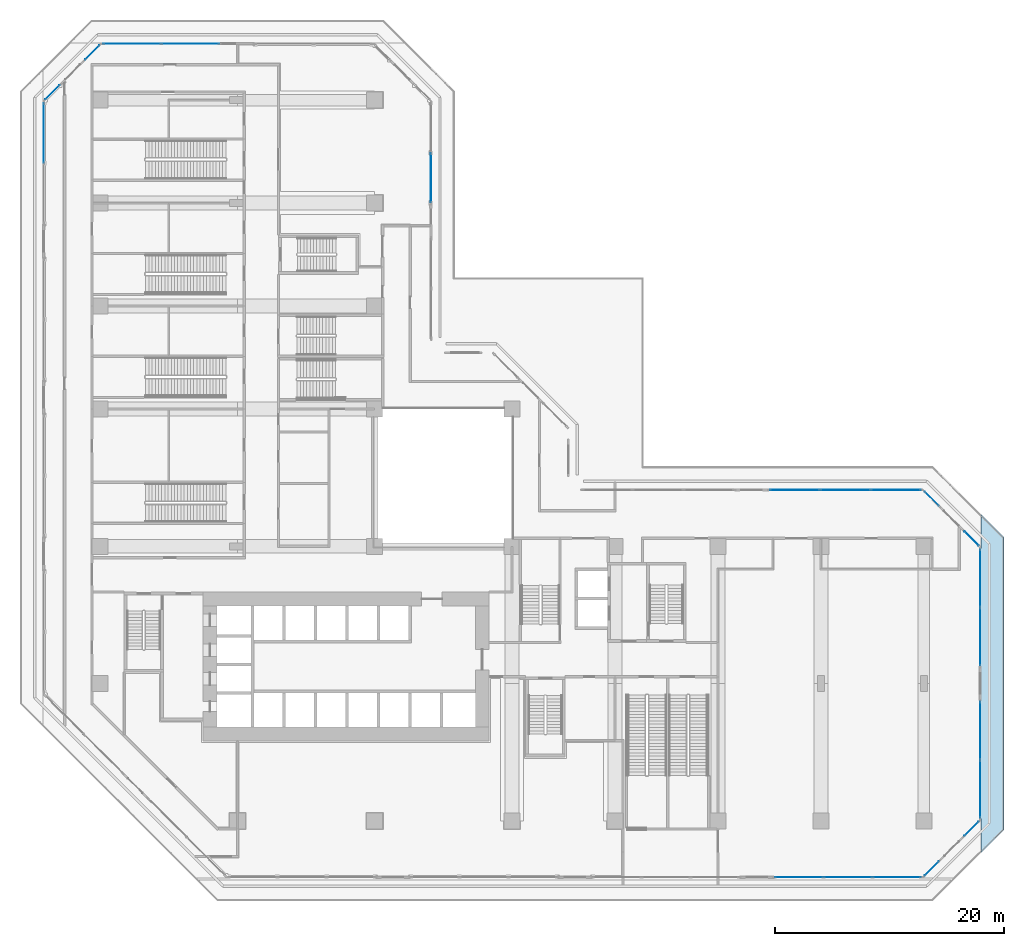
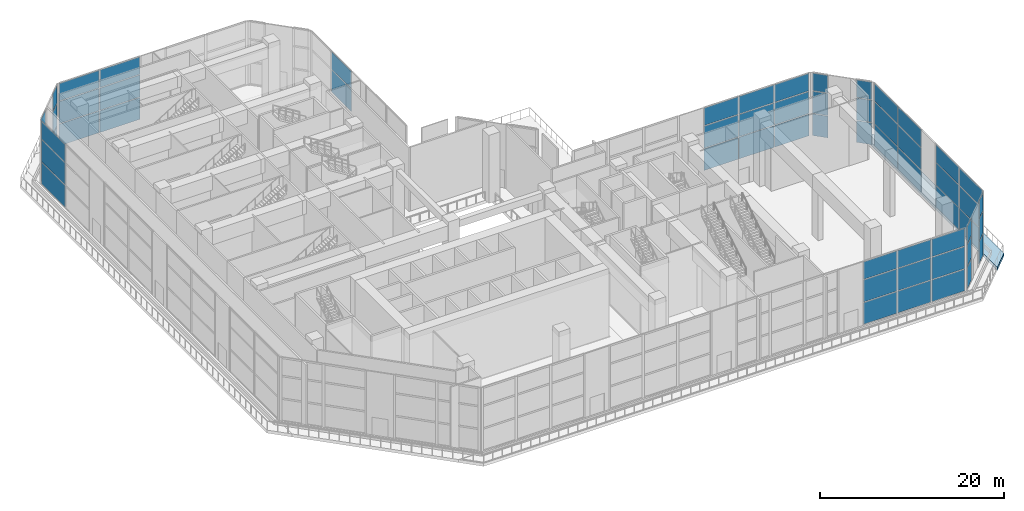
# One storey, part 11 of 28: 59 plates, 1 slab, 13 elements without a shape of their own.
"""IFC4 building model written with IfcOpenShell, lengths in metres."""

from ifc_helpers import new_model, si_unit, direction, frame, origin, origin_2d, place, context, subcontext, project, spatial, polyline, rectangle, outline, extrude, material, layer, layer_set, type_object, element, aggregate, save


model = new_model("IFC4")

# Units and contexts
model_context = context("Model", 3, precision=1e-05, world=origin(), true_north=direction((0.0, 1.0)))
body_context = subcontext(model_context, "Body", "Model", "MODEL_VIEW")
ifc_project = project(units=[si_unit("LENGTHUNIT", "METRE"), si_unit("AREAUNIT", "SQUARE_METRE"), si_unit("VOLUMEUNIT", "CUBIC_METRE"), si_unit("PLANEANGLEUNIT", "RADIAN"), si_unit("MASSUNIT", "GRAM", prefix="KILO")], contexts=[model_context])

# Site, building, storey
site_placement = place(None, origin())
site = spatial("IfcSite", under=ifc_project, at=site_placement, CompositionType="ELEMENT")
building_placement = place(site_placement, origin())
building = spatial("IfcBuilding", under=site, at=building_placement, Name="Chenar Terraces", CompositionType="ELEMENT")
storey_placement = place(building_placement, frame((0.0, 0.0, 26.39990234375)))
storey = spatial("IfcBuildingStorey", under=building, at=storey_placement, Name="L05", CompositionType="ELEMENT", Elevation=26.39990234375)

# Curtain wall, plates
ifc_material_1 = material(Name="Aluminium framed glazing", Category="aluminium")
ifc_layer_1 = layer(ifc_material_1, 0.14990234375)
ifc_layer_set_1 = layer_set([ifc_layer_1], Name="Aluminium framed glazing")
curtain_wall_type = type_object("IfcCurtainWallType", Name="Hall curtain wall", PredefinedType="NOTDEFINED", material=ifc_layer_set_1)
placement = place(storey_placement, origin())
curtain_wall_1 = element("IfcCurtainWall", 1, at=placement, inside=storey, type_object=curtain_wall_type, Name="Hall curtain wall", PredefinedType="NOTDEFINED")
ifc_material_2 = material(Name="Low emissivity laminated glass, solar control coating", Category="glass")
ifc_layer_2 = layer(ifc_material_2, 0.035888671875)
ifc_layer_set_2 = layer_set([ifc_layer_2], Name="Low emissivity laminated glass, solar control coating")
plate_type = type_object("IfcPlateType", Name="Hall glazing panel 36", PredefinedType="CURTAIN_PANEL", material=ifc_layer_set_2)
plate_1_placement = place(storey_placement, frame((76.166015625, 24.677490234375, 0.09033203125), z_axis=(0.0, 0.0, 1.0), x_axis=(-0.707106781187, 0.707106781187, 0.0)))
plate_1 = element("IfcPlate", 2, at=plate_1_placement, type_object=plate_type, Name="CW5-01c0 panel 1.1", PredefinedType="CURTAIN_PANEL", context=body_context, shape_type="SweptSolid", body=[
    extrude(rectangle(XDim=1.728515625, YDim=0.035888671875, at=origin_2d()), origin(), (0.0, 0.0, 1.0), 2.864990234375),
])
plate_2_placement = place(storey_placement, frame((76.166015625, 24.677490234375, 3.044921875), z_axis=(0.0, 0.0, 1.0), x_axis=(-0.707106781187, 0.707106781187, 0.0)))
plate_2 = element("IfcPlate", 3, at=plate_2_placement, type_object=plate_type, Name="CW5-01c0 panel 1.2", PredefinedType="CURTAIN_PANEL", context=body_context, shape_type="SweptSolid", body=[
    extrude(rectangle(XDim=1.728515625, YDim=0.035888671875, at=origin_2d()), origin(), (0.0, 0.0, 1.0), 2.909912109375),
])
plate_3_placement = place(storey_placement, frame((76.166015625, 24.677490234375, 6.045166015625), z_axis=(0.0, 0.0, 1.0), x_axis=(-0.707106781187, 0.707106781187, 0.0)))
plate_3 = element("IfcPlate", 4, at=plate_3_placement, type_object=plate_type, Name="CW5-01c0 panel 1.3", PredefinedType="CURTAIN_PANEL", context=body_context, shape_type="SweptSolid", body=[
    extrude(rectangle(XDim=1.728515625, YDim=0.035888671875, at=origin_2d()), origin(), (0.0, 0.0, 1.0), 2.31494140625),
])
aggregate(curtain_wall_1, [plate_1, plate_2, plate_3])

curtain_wall_2 = element("IfcCurtainWall", 5, at=placement, inside=storey, type_object=curtain_wall_type, Name="Hall curtain wall", PredefinedType="NOTDEFINED")
plate_4_placement = place(storey_placement, frame((72.677490234375, 28.166015625, 0.09033203125), z_axis=(0.0, 0.0, 1.0), x_axis=(-0.707106781187, 0.707106781187, 0.0)))
plate_4 = element("IfcPlate", 6, at=plate_4_placement, type_object=plate_type, Name="CW5-01c1 panel 1.1", PredefinedType="CURTAIN_PANEL", context=body_context, shape_type="SweptSolid", body=[
    extrude(rectangle(XDim=1.728515625, YDim=0.035888671875, at=origin_2d()), origin(), (0.0, 0.0, 1.0), 2.864990234375),
])
plate_5_placement = place(storey_placement, frame((72.677490234375, 28.166015625, 3.044921875), z_axis=(0.0, 0.0, 1.0), x_axis=(-0.707106781187, 0.707106781187, 0.0)))
plate_5 = element("IfcPlate", 7, at=plate_5_placement, type_object=plate_type, Name="CW5-01c1 panel 1.2", PredefinedType="CURTAIN_PANEL", context=body_context, shape_type="SweptSolid", body=[
    extrude(rectangle(XDim=1.728515625, YDim=0.035888671875, at=origin_2d()), origin(), (0.0, 0.0, 1.0), 2.909912109375),
])
plate_6_placement = place(storey_placement, frame((72.677490234375, 28.166015625, 6.045166015625), z_axis=(0.0, 0.0, 1.0), x_axis=(-0.707106781187, 0.707106781187, 0.0)))
plate_6 = element("IfcPlate", 8, at=plate_6_placement, type_object=plate_type, Name="CW5-01c1 panel 1.3", PredefinedType="CURTAIN_PANEL", context=body_context, shape_type="SweptSolid", body=[
    extrude(rectangle(XDim=1.728515625, YDim=0.035888671875, at=origin_2d()), origin(), (0.0, 0.0, 1.0), 2.31494140625),
])
aggregate(curtain_wall_2, [plate_4, plate_5, plate_6])

curtain_wall_3 = element("IfcCurtainWall", 9, at=placement, inside=storey, type_object=curtain_wall_type, Name="Hall curtain wall", PredefinedType="NOTDEFINED")
plate_7_placement = place(storey_placement, frame((69.55419921875, 28.925048828125, 0.09033203125), z_axis=(0.0, 0.0, 1.0), x_axis=(-1.0, 0.0, 0.0)))
plate_7 = element("IfcPlate", 10, at=plate_7_placement, type_object=plate_type, Name="CW5-02c0 panel 1.1", PredefinedType="CURTAIN_PANEL", context=body_context, shape_type="SweptSolid", body=[
    extrude(rectangle(XDim=4.310791015625, YDim=0.035888671875, at=origin_2d()), origin(), (0.0, 0.0, 1.0), 2.864990234375),
])
plate_8_placement = place(storey_placement, frame((69.55419921875, 28.925048828125, 3.044921875), z_axis=(0.0, 0.0, 1.0), x_axis=(-1.0, 0.0, 0.0)))
plate_8 = element("IfcPlate", 11, at=plate_8_placement, type_object=plate_type, Name="CW5-02c0 panel 1.2", PredefinedType="CURTAIN_PANEL", context=body_context, shape_type="SweptSolid", body=[
    extrude(rectangle(XDim=4.310791015625, YDim=0.035888671875, at=origin_2d()), origin(), (0.0, 0.0, 1.0), 2.909912109375),
])
plate_9_placement = place(storey_placement, frame((69.55419921875, 28.925048828125, 6.045166015625), z_axis=(0.0, 0.0, 1.0), x_axis=(-1.0, 0.0, 0.0)))
plate_9 = element("IfcPlate", 12, at=plate_9_placement, type_object=plate_type, Name="CW5-02c0 panel 1.3", PredefinedType="CURTAIN_PANEL", context=body_context, shape_type="SweptSolid", body=[
    extrude(rectangle(XDim=4.310791015625, YDim=0.035888671875, at=origin_2d()), origin(), (0.0, 0.0, 1.0), 2.31494140625),
])
plate_10_placement = place(storey_placement, frame((65.130859375, 28.925048828125, 0.09033203125), z_axis=(0.0, 0.0, 1.0), x_axis=(-1.0, 0.0, 0.0)))
plate_10 = element("IfcPlate", 13, at=plate_10_placement, type_object=plate_type, Name="CW5-02c0 panel 2.1", PredefinedType="CURTAIN_PANEL", context=body_context, shape_type="SweptSolid", body=[
    extrude(rectangle(XDim=4.355712890625, YDim=0.035888671875, at=origin_2d()), origin(), (0.0, 0.0, 1.0), 2.864990234375),
])
plate_11_placement = place(storey_placement, frame((65.130859375, 28.925048828125, 3.044921875), z_axis=(0.0, 0.0, 1.0), x_axis=(-1.0, 0.0, 0.0)))
plate_11 = element("IfcPlate", 14, at=plate_11_placement, type_object=plate_type, Name="CW5-02c0 panel 2.2", PredefinedType="CURTAIN_PANEL", context=body_context, shape_type="SweptSolid", body=[
    extrude(rectangle(XDim=4.355712890625, YDim=0.035888671875, at=origin_2d()), origin(), (0.0, 0.0, 1.0), 2.909912109375),
])
plate_12_placement = place(storey_placement, frame((65.130859375, 28.925048828125, 6.045166015625), z_axis=(0.0, 0.0, 1.0), x_axis=(-1.0, 0.0, 0.0)))
plate_12 = element("IfcPlate", 15, at=plate_12_placement, type_object=plate_type, Name="CW5-02c0 panel 2.3", PredefinedType="CURTAIN_PANEL", context=body_context, shape_type="SweptSolid", body=[
    extrude(rectangle(XDim=4.355712890625, YDim=0.035888671875, at=origin_2d()), origin(), (0.0, 0.0, 1.0), 2.31494140625),
])
plate_13_placement = place(storey_placement, frame((60.70751953125, 28.925048828125, 0.09033203125), z_axis=(0.0, 0.0, 1.0), x_axis=(-1.0, 0.0, 0.0)))
plate_13 = element("IfcPlate", 16, at=plate_13_placement, type_object=plate_type, Name="CW5-02c0 panel 3.1", PredefinedType="CURTAIN_PANEL", context=body_context, shape_type="SweptSolid", body=[
    extrude(rectangle(XDim=4.310791015625, YDim=0.035888671875, at=origin_2d()), origin(), (0.0, 0.0, 1.0), 2.864990234375),
])
plate_14_placement = place(storey_placement, frame((60.70751953125, 28.925048828125, 3.044921875), z_axis=(0.0, 0.0, 1.0), x_axis=(-1.0, 0.0, 0.0)))
plate_14 = element("IfcPlate", 17, at=plate_14_placement, type_object=plate_type, Name="CW5-02c0 panel 3.2", PredefinedType="CURTAIN_PANEL", context=body_context, shape_type="SweptSolid", body=[
    extrude(rectangle(XDim=4.310791015625, YDim=0.035888671875, at=origin_2d()), origin(), (0.0, 0.0, 1.0), 2.909912109375),
])
plate_15_placement = place(storey_placement, frame((60.70751953125, 28.925048828125, 6.045166015625), z_axis=(0.0, 0.0, 1.0), x_axis=(-1.0, 0.0, 0.0)))
plate_15 = element("IfcPlate", 18, at=plate_15_placement, type_object=plate_type, Name="CW5-02c0 panel 3.3", PredefinedType="CURTAIN_PANEL", context=body_context, shape_type="SweptSolid", body=[
    extrude(rectangle(XDim=4.310791015625, YDim=0.035888671875, at=origin_2d()), origin(), (0.0, 0.0, 1.0), 2.31494140625),
])
aggregate(curtain_wall_3, [plate_7, plate_8, plate_9, plate_10, plate_11, plate_12, plate_13, plate_14, plate_15])

curtain_wall_4 = element("IfcCurtainWall", 19, at=placement, inside=storey, type_object=curtain_wall_type, Name="Hall curtain wall", PredefinedType="NOTDEFINED")
plate_16_placement = place(storey_placement, frame((28.925048828125, 56.194091796875, 3.044921875), z_axis=(0.0, 0.0, 1.0), x_axis=(0.0, 1.0, 0.0)))
plate_16 = element("IfcPlate", 20, at=plate_16_placement, type_object=plate_type, Name="CW5-06c1 panel 1.2", PredefinedType="CURTAIN_PANEL", context=body_context, shape_type="SweptSolid", body=[
    extrude(rectangle(XDim=4.28369140625, YDim=0.035888671875, at=origin_2d()), origin(), (0.0, 0.0, 1.0), 2.909912109375),
])
plate_17_placement = place(storey_placement, frame((28.925048828125, 56.194091796875, 6.045166015625), z_axis=(0.0, 0.0, 1.0), x_axis=(0.0, 1.0, 0.0)))
plate_17 = element("IfcPlate", 21, at=plate_17_placement, type_object=plate_type, Name="CW5-06c1 panel 1.3", PredefinedType="CURTAIN_PANEL", context=body_context, shape_type="SweptSolid", body=[
    extrude(rectangle(XDim=4.28369140625, YDim=0.035888671875, at=origin_2d()), origin(), (0.0, 0.0, 1.0), 2.31494140625),
])
aggregate(curtain_wall_4, [plate_16, plate_17])

curtain_wall_5 = element("IfcCurtainWall", 22, at=placement, inside=storey, type_object=curtain_wall_type, Name="Hall curtain wall", PredefinedType="NOTDEFINED")
plate_18_placement = place(storey_placement, frame((7.893310546875, 67.925048828125, 0.09033203125), z_axis=(0.0, 0.0, 1.0), x_axis=(-1.0, 0.0, 0.0)))
plate_18 = element("IfcPlate", 23, at=plate_18_placement, type_object=plate_type, Name="CW5-08c1 panel 1.1", PredefinedType="CURTAIN_PANEL", context=body_context, shape_type="SweptSolid", body=[
    extrude(rectangle(XDim=5.008544921875, YDim=0.035888671875, at=origin_2d()), origin(), (0.0, 0.0, 1.0), 2.864990234375),
])
plate_19_placement = place(storey_placement, frame((7.893310546875, 67.925048828125, 3.044921875), z_axis=(0.0, 0.0, 1.0), x_axis=(-1.0, 0.0, 0.0)))
plate_19 = element("IfcPlate", 24, at=plate_19_placement, type_object=plate_type, Name="CW5-08c1 panel 1.2", PredefinedType="CURTAIN_PANEL", context=body_context, shape_type="SweptSolid", body=[
    extrude(rectangle(XDim=5.008544921875, YDim=0.035888671875, at=origin_2d()), origin(), (0.0, 0.0, 1.0), 2.909912109375),
])
plate_20_placement = place(storey_placement, frame((7.893310546875, 67.925048828125, 6.045166015625), z_axis=(0.0, 0.0, 1.0), x_axis=(-1.0, 0.0, 0.0)))
plate_20 = element("IfcPlate", 25, at=plate_20_placement, type_object=plate_type, Name="CW5-08c1 panel 1.3", PredefinedType="CURTAIN_PANEL", context=body_context, shape_type="SweptSolid", body=[
    extrude(rectangle(XDim=5.008544921875, YDim=0.035888671875, at=origin_2d()), origin(), (0.0, 0.0, 1.0), 2.31494140625),
])
plate_21_placement = place(storey_placement, frame((2.794677734375, 67.925048828125, 0.09033203125), z_axis=(0.0, 0.0, 1.0), x_axis=(-1.0, 0.0, 0.0)))
plate_21 = element("IfcPlate", 26, at=plate_21_placement, type_object=plate_type, Name="CW5-08c1 panel 2.1", PredefinedType="CURTAIN_PANEL", context=body_context, shape_type="SweptSolid", body=[
    extrude(rectangle(XDim=5.008544921875, YDim=0.035888671875, at=origin_2d()), origin(), (0.0, 0.0, 1.0), 2.864990234375),
])
plate_22_placement = place(storey_placement, frame((2.794677734375, 67.925048828125, 3.044921875), z_axis=(0.0, 0.0, 1.0), x_axis=(-1.0, 0.0, 0.0)))
plate_22 = element("IfcPlate", 27, at=plate_22_placement, type_object=plate_type, Name="CW5-08c1 panel 2.2", PredefinedType="CURTAIN_PANEL", context=body_context, shape_type="SweptSolid", body=[
    extrude(rectangle(XDim=5.008544921875, YDim=0.035888671875, at=origin_2d()), origin(), (0.0, 0.0, 1.0), 2.909912109375),
])
plate_23_placement = place(storey_placement, frame((2.794677734375, 67.925048828125, 6.045166015625), z_axis=(0.0, 0.0, 1.0), x_axis=(-1.0, 0.0, 0.0)))
plate_23 = element("IfcPlate", 28, at=plate_23_placement, type_object=plate_type, Name="CW5-08c1 panel 2.3", PredefinedType="CURTAIN_PANEL", context=body_context, shape_type="SweptSolid", body=[
    extrude(rectangle(XDim=5.008544921875, YDim=0.035888671875, at=origin_2d()), origin(), (0.0, 0.0, 1.0), 2.31494140625),
])
aggregate(curtain_wall_5, [plate_18, plate_19, plate_20, plate_21, plate_22, plate_23])

curtain_wall_6 = element("IfcCurtainWall", 29, at=placement, inside=storey, type_object=curtain_wall_type, Name="Hall curtain wall", PredefinedType="NOTDEFINED")
plate_24_placement = place(storey_placement, frame((-0.677490234375, 67.166015625, 0.09033203125), z_axis=(0.0, 0.0, 1.0), x_axis=(-0.707106781187, -0.707106781187, 0.0)))
plate_24 = element("IfcPlate", 30, at=plate_24_placement, type_object=plate_type, Name="CW5-09c0 panel 1.1", PredefinedType="CURTAIN_PANEL", context=body_context, shape_type="SweptSolid", body=[
    extrude(rectangle(XDim=1.728515625, YDim=0.035888671875, at=origin_2d()), origin(), (0.0, 0.0, 1.0), 2.864990234375),
])
plate_25_placement = place(storey_placement, frame((-0.677490234375, 67.166015625, 3.044921875), z_axis=(0.0, 0.0, 1.0), x_axis=(-0.707106781187, -0.707106781187, 0.0)))
plate_25 = element("IfcPlate", 31, at=plate_25_placement, type_object=plate_type, Name="CW5-09c0 panel 1.2", PredefinedType="CURTAIN_PANEL", context=body_context, shape_type="SweptSolid", body=[
    extrude(rectangle(XDim=1.728515625, YDim=0.035888671875, at=origin_2d()), origin(), (0.0, 0.0, 1.0), 2.909912109375),
])
plate_26_placement = place(storey_placement, frame((-0.677490234375, 67.166015625, 6.045166015625), z_axis=(0.0, 0.0, 1.0), x_axis=(-0.707106781187, -0.707106781187, 0.0)))
plate_26 = element("IfcPlate", 32, at=plate_26_placement, type_object=plate_type, Name="CW5-09c0 panel 1.3", PredefinedType="CURTAIN_PANEL", context=body_context, shape_type="SweptSolid", body=[
    extrude(rectangle(XDim=1.728515625, YDim=0.035888671875, at=origin_2d()), origin(), (0.0, 0.0, 1.0), 2.31494140625),
])
aggregate(curtain_wall_6, [plate_24, plate_25, plate_26])

curtain_wall_7 = element("IfcCurtainWall", 33, at=placement, inside=storey, type_object=curtain_wall_type, Name="Hall curtain wall", PredefinedType="NOTDEFINED")
plate_27_placement = place(storey_placement, frame((-4.166015625, 63.677490234375, 0.09033203125), z_axis=(0.0, 0.0, 1.0), x_axis=(-0.707106781187, -0.707106781187, 0.0)))
plate_27 = element("IfcPlate", 34, at=plate_27_placement, type_object=plate_type, Name="CW5-09c1 panel 1.1", PredefinedType="CURTAIN_PANEL", context=body_context, shape_type="SweptSolid", body=[
    extrude(rectangle(XDim=1.728515625, YDim=0.035888671875, at=origin_2d()), origin(), (0.0, 0.0, 1.0), 2.864990234375),
])
plate_28_placement = place(storey_placement, frame((-4.166015625, 63.677490234375, 3.044921875), z_axis=(0.0, 0.0, 1.0), x_axis=(-0.707106781187, -0.707106781187, 0.0)))
plate_28 = element("IfcPlate", 35, at=plate_28_placement, type_object=plate_type, Name="CW5-09c1 panel 1.2", PredefinedType="CURTAIN_PANEL", context=body_context, shape_type="SweptSolid", body=[
    extrude(rectangle(XDim=1.728515625, YDim=0.035888671875, at=origin_2d()), origin(), (0.0, 0.0, 1.0), 2.909912109375),
])
plate_29_placement = place(storey_placement, frame((-4.166015625, 63.677490234375, 6.045166015625), z_axis=(0.0, 0.0, 1.0), x_axis=(-0.707106781187, -0.707106781187, 0.0)))
plate_29 = element("IfcPlate", 36, at=plate_29_placement, type_object=plate_type, Name="CW5-09c1 panel 1.3", PredefinedType="CURTAIN_PANEL", context=body_context, shape_type="SweptSolid", body=[
    extrude(rectangle(XDim=1.728515625, YDim=0.035888671875, at=origin_2d()), origin(), (0.0, 0.0, 1.0), 2.31494140625),
])
aggregate(curtain_wall_7, [plate_27, plate_28, plate_29])

curtain_wall_8 = element("IfcCurtainWall", 37, at=placement, inside=storey, type_object=curtain_wall_type, Name="Hall curtain wall", PredefinedType="NOTDEFINED")
plate_30_placement = place(storey_placement, frame((-4.925048828125, 60.117919921875, 0.09033203125), z_axis=(0.0, 0.0, 1.0), x_axis=(0.0, -1.0, 0.0)))
plate_30 = element("IfcPlate", 38, at=plate_30_placement, type_object=plate_type, Name="CW5-10c0 panel 1.1", PredefinedType="CURTAIN_PANEL", context=body_context, shape_type="SweptSolid", body=[
    extrude(rectangle(XDim=5.18359375, YDim=0.035888671875, at=origin_2d()), origin(), (0.0, 0.0, 1.0), 2.864990234375),
])
plate_31_placement = place(storey_placement, frame((-4.925048828125, 60.117919921875, 3.044921875), z_axis=(0.0, 0.0, 1.0), x_axis=(0.0, -1.0, 0.0)))
plate_31 = element("IfcPlate", 39, at=plate_31_placement, type_object=plate_type, Name="CW5-10c0 panel 1.2", PredefinedType="CURTAIN_PANEL", context=body_context, shape_type="SweptSolid", body=[
    extrude(rectangle(XDim=5.18359375, YDim=0.035888671875, at=origin_2d()), origin(), (0.0, 0.0, 1.0), 2.909912109375),
])
plate_32_placement = place(storey_placement, frame((-4.925048828125, 60.117919921875, 6.045166015625), z_axis=(0.0, 0.0, 1.0), x_axis=(0.0, -1.0, 0.0)))
plate_32 = element("IfcPlate", 40, at=plate_32_placement, type_object=plate_type, Name="CW5-10c0 panel 1.3", PredefinedType="CURTAIN_PANEL", context=body_context, shape_type="SweptSolid", body=[
    extrude(rectangle(XDim=5.18359375, YDim=0.035888671875, at=origin_2d()), origin(), (0.0, 0.0, 1.0), 2.31494140625),
])
aggregate(curtain_wall_8, [plate_30, plate_31, plate_32])

curtain_wall_9 = element("IfcCurtainWall", 41, at=placement, inside=storey, type_object=curtain_wall_type, Name="Hall curtain wall", PredefinedType="NOTDEFINED")
plate_33_placement = place(storey_placement, frame((61.082763671875, -4.925048828125, 0.09033203125), z_axis=(0.0, 0.0, 1.0), x_axis=(1.0, 0.0, 0.0)))
plate_33 = element("IfcPlate", 42, at=plate_33_placement, type_object=plate_type, Name="CW5-12c3 panel 1.1", PredefinedType="CURTAIN_PANEL", context=body_context, shape_type="SweptSolid", body=[
    extrude(rectangle(XDim=4.160888671875, YDim=0.035888671875, at=origin_2d()), origin(), (0.0, 0.0, 1.0), 2.864990234375),
])
plate_34_placement = place(storey_placement, frame((61.082763671875, -4.925048828125, 3.044921875), z_axis=(0.0, 0.0, 1.0), x_axis=(1.0, 0.0, 0.0)))
plate_34 = element("IfcPlate", 43, at=plate_34_placement, type_object=plate_type, Name="CW5-12c3 panel 1.2", PredefinedType="CURTAIN_PANEL", context=body_context, shape_type="SweptSolid", body=[
    extrude(rectangle(XDim=4.160888671875, YDim=0.035888671875, at=origin_2d()), origin(), (0.0, 0.0, 1.0), 2.909912109375),
])
plate_35_placement = place(storey_placement, frame((61.082763671875, -4.925048828125, 6.045166015625), z_axis=(0.0, 0.0, 1.0), x_axis=(1.0, 0.0, 0.0)))
plate_35 = element("IfcPlate", 44, at=plate_35_placement, type_object=plate_type, Name="CW5-12c3 panel 1.3", PredefinedType="CURTAIN_PANEL", context=body_context, shape_type="SweptSolid", body=[
    extrude(rectangle(XDim=4.160888671875, YDim=0.035888671875, at=origin_2d()), origin(), (0.0, 0.0, 1.0), 2.31494140625),
])
plate_36_placement = place(storey_placement, frame((65.35595703125, -4.925048828125, 0.09033203125), z_axis=(0.0, 0.0, 1.0), x_axis=(1.0, 0.0, 0.0)))
plate_36 = element("IfcPlate", 45, at=plate_36_placement, type_object=plate_type, Name="CW5-12c3 panel 2.1", PredefinedType="CURTAIN_PANEL", context=body_context, shape_type="SweptSolid", body=[
    extrude(rectangle(XDim=4.205810546875, YDim=0.035888671875, at=origin_2d()), origin(), (0.0, 0.0, 1.0), 2.864990234375),
])
plate_37_placement = place(storey_placement, frame((65.35595703125, -4.925048828125, 3.044921875), z_axis=(0.0, 0.0, 1.0), x_axis=(1.0, 0.0, 0.0)))
plate_37 = element("IfcPlate", 46, at=plate_37_placement, type_object=plate_type, Name="CW5-12c3 panel 2.2", PredefinedType="CURTAIN_PANEL", context=body_context, shape_type="SweptSolid", body=[
    extrude(rectangle(XDim=4.205810546875, YDim=0.035888671875, at=origin_2d()), origin(), (0.0, 0.0, 1.0), 2.909912109375),
])
plate_38_placement = place(storey_placement, frame((65.35595703125, -4.925048828125, 6.045166015625), z_axis=(0.0, 0.0, 1.0), x_axis=(1.0, 0.0, 0.0)))
plate_38 = element("IfcPlate", 47, at=plate_38_placement, type_object=plate_type, Name="CW5-12c3 panel 2.3", PredefinedType="CURTAIN_PANEL", context=body_context, shape_type="SweptSolid", body=[
    extrude(rectangle(XDim=4.205810546875, YDim=0.035888671875, at=origin_2d()), origin(), (0.0, 0.0, 1.0), 2.31494140625),
])
plate_39_placement = place(storey_placement, frame((69.62939453125, -4.925048828125, 0.09033203125), z_axis=(0.0, 0.0, 1.0), x_axis=(1.0, 0.0, 0.0)))
plate_39 = element("IfcPlate", 48, at=plate_39_placement, type_object=plate_type, Name="CW5-12c3 panel 3.1", PredefinedType="CURTAIN_PANEL", context=body_context, shape_type="SweptSolid", body=[
    extrude(rectangle(XDim=4.160888671875, YDim=0.035888671875, at=origin_2d()), origin(), (0.0, 0.0, 1.0), 2.864990234375),
])
plate_40_placement = place(storey_placement, frame((69.62939453125, -4.925048828125, 3.044921875), z_axis=(0.0, 0.0, 1.0), x_axis=(1.0, 0.0, 0.0)))
plate_40 = element("IfcPlate", 49, at=plate_40_placement, type_object=plate_type, Name="CW5-12c3 panel 3.2", PredefinedType="CURTAIN_PANEL", context=body_context, shape_type="SweptSolid", body=[
    extrude(rectangle(XDim=4.160888671875, YDim=0.035888671875, at=origin_2d()), origin(), (0.0, 0.0, 1.0), 2.909912109375),
])
plate_41_placement = place(storey_placement, frame((69.62939453125, -4.925048828125, 6.045166015625), z_axis=(0.0, 0.0, 1.0), x_axis=(1.0, 0.0, 0.0)))
plate_41 = element("IfcPlate", 50, at=plate_41_placement, type_object=plate_type, Name="CW5-12c3 panel 3.3", PredefinedType="CURTAIN_PANEL", context=body_context, shape_type="SweptSolid", body=[
    extrude(rectangle(XDim=4.160888671875, YDim=0.035888671875, at=origin_2d()), origin(), (0.0, 0.0, 1.0), 2.31494140625),
])
aggregate(curtain_wall_9, [plate_33, plate_34, plate_35, plate_36, plate_37, plate_38, plate_39, plate_40, plate_41])

curtain_wall_10 = element("IfcCurtainWall", 51, at=placement, inside=storey, type_object=curtain_wall_type, Name="Hall curtain wall", PredefinedType="NOTDEFINED")
plate_42_placement = place(storey_placement, frame((72.677490234375, -4.166015625, 0.09033203125), z_axis=(0.0, 0.0, 1.0), x_axis=(0.707106781187, 0.707106781187, 0.0)))
plate_42 = element("IfcPlate", 52, at=plate_42_placement, type_object=plate_type, Name="CW5-13c0 panel 1.1", PredefinedType="CURTAIN_PANEL", context=body_context, shape_type="SweptSolid", body=[
    extrude(rectangle(XDim=1.728515625, YDim=0.035888671875, at=origin_2d()), origin(), (0.0, 0.0, 1.0), 2.864990234375),
])
plate_43_placement = place(storey_placement, frame((72.677490234375, -4.166015625, 3.044921875), z_axis=(0.0, 0.0, 1.0), x_axis=(0.707106781187, 0.707106781187, 0.0)))
plate_43 = element("IfcPlate", 53, at=plate_43_placement, type_object=plate_type, Name="CW5-13c0 panel 1.2", PredefinedType="CURTAIN_PANEL", context=body_context, shape_type="SweptSolid", body=[
    extrude(rectangle(XDim=1.728515625, YDim=0.035888671875, at=origin_2d()), origin(), (0.0, 0.0, 1.0), 2.909912109375),
])
plate_44_placement = place(storey_placement, frame((72.677490234375, -4.166015625, 6.045166015625), z_axis=(0.0, 0.0, 1.0), x_axis=(0.707106781187, 0.707106781187, 0.0)))
plate_44 = element("IfcPlate", 54, at=plate_44_placement, type_object=plate_type, Name="CW5-13c0 panel 1.3", PredefinedType="CURTAIN_PANEL", context=body_context, shape_type="SweptSolid", body=[
    extrude(rectangle(XDim=1.728515625, YDim=0.035888671875, at=origin_2d()), origin(), (0.0, 0.0, 1.0), 2.31494140625),
])
aggregate(curtain_wall_10, [plate_42, plate_43, plate_44])

curtain_wall_11 = element("IfcCurtainWall", 55, at=placement, inside=storey, type_object=curtain_wall_type, Name="Hall curtain wall", PredefinedType="NOTDEFINED")
plate_45_placement = place(storey_placement, frame((76.166015625, -0.677490234375, 0.09033203125), z_axis=(0.0, 0.0, 1.0), x_axis=(0.707106781187, 0.707106781187, 0.0)))
plate_45 = element("IfcPlate", 56, at=plate_45_placement, type_object=plate_type, Name="CW5-13c1 panel 1.1", PredefinedType="CURTAIN_PANEL", context=body_context, shape_type="SweptSolid", body=[
    extrude(rectangle(XDim=1.728515625, YDim=0.035888671875, at=origin_2d()), origin(), (0.0, 0.0, 1.0), 2.864990234375),
])
plate_46_placement = place(storey_placement, frame((76.166015625, -0.677490234375, 3.044921875), z_axis=(0.0, 0.0, 1.0), x_axis=(0.707106781187, 0.707106781187, 0.0)))
plate_46 = element("IfcPlate", 57, at=plate_46_placement, type_object=plate_type, Name="CW5-13c1 panel 1.2", PredefinedType="CURTAIN_PANEL", context=body_context, shape_type="SweptSolid", body=[
    extrude(rectangle(XDim=1.728515625, YDim=0.035888671875, at=origin_2d()), origin(), (0.0, 0.0, 1.0), 2.909912109375),
])
plate_47_placement = place(storey_placement, frame((76.166015625, -0.677490234375, 6.045166015625), z_axis=(0.0, 0.0, 1.0), x_axis=(0.707106781187, 0.707106781187, 0.0)))
plate_47 = element("IfcPlate", 58, at=plate_47_placement, type_object=plate_type, Name="CW5-13c1 panel 1.3", PredefinedType="CURTAIN_PANEL", context=body_context, shape_type="SweptSolid", body=[
    extrude(rectangle(XDim=1.728515625, YDim=0.035888671875, at=origin_2d()), origin(), (0.0, 0.0, 1.0), 2.31494140625),
])
aggregate(curtain_wall_11, [plate_45, plate_46, plate_47])

curtain_wall_12 = element("IfcCurtainWall", 59, at=placement, inside=storey, type_object=curtain_wall_type, Name="Hall curtain wall", PredefinedType="NOTDEFINED")
plate_48_placement = place(storey_placement, frame((76.925048828125, 2.794677734375, 0.09033203125), z_axis=(0.0, 0.0, 1.0), x_axis=(0.0, 1.0, 0.0)))
plate_48 = element("IfcPlate", 60, at=plate_48_placement, type_object=plate_type, Name="CW5-14c0 panel 1.1", PredefinedType="CURTAIN_PANEL", context=body_context, shape_type="SweptSolid", body=[
    extrude(rectangle(XDim=5.008544921875, YDim=0.035888671875, at=origin_2d()), origin(), (0.0, 0.0, 1.0), 2.864990234375),
])
plate_49_placement = place(storey_placement, frame((76.925048828125, 2.794677734375, 3.044921875), z_axis=(0.0, 0.0, 1.0), x_axis=(0.0, 1.0, 0.0)))
plate_49 = element("IfcPlate", 61, at=plate_49_placement, type_object=plate_type, Name="CW5-14c0 panel 1.2", PredefinedType="CURTAIN_PANEL", context=body_context, shape_type="SweptSolid", body=[
    extrude(rectangle(XDim=5.008544921875, YDim=0.035888671875, at=origin_2d()), origin(), (0.0, 0.0, 1.0), 2.909912109375),
])
plate_50_placement = place(storey_placement, frame((76.925048828125, 2.794677734375, 6.045166015625), z_axis=(0.0, 0.0, 1.0), x_axis=(0.0, 1.0, 0.0)))
plate_50 = element("IfcPlate", 62, at=plate_50_placement, type_object=plate_type, Name="CW5-14c0 panel 1.3", PredefinedType="CURTAIN_PANEL", context=body_context, shape_type="SweptSolid", body=[
    extrude(rectangle(XDim=5.008544921875, YDim=0.035888671875, at=origin_2d()), origin(), (0.0, 0.0, 1.0), 2.31494140625),
])
plate_51_placement = place(storey_placement, frame((76.925048828125, 7.893310546875, 0.09033203125), z_axis=(0.0, 0.0, 1.0), x_axis=(0.0, 1.0, 0.0)))
plate_51 = element("IfcPlate", 63, at=plate_51_placement, type_object=plate_type, Name="CW5-14c0 panel 2.1", PredefinedType="CURTAIN_PANEL", context=body_context, shape_type="SweptSolid", body=[
    extrude(rectangle(XDim=5.008544921875, YDim=0.035888671875, at=origin_2d()), origin(), (0.0, 0.0, 1.0), 2.864990234375),
])
plate_52_placement = place(storey_placement, frame((76.925048828125, 7.893310546875, 3.044921875), z_axis=(0.0, 0.0, 1.0), x_axis=(0.0, 1.0, 0.0)))
plate_52 = element("IfcPlate", 64, at=plate_52_placement, type_object=plate_type, Name="CW5-14c0 panel 2.2", PredefinedType="CURTAIN_PANEL", context=body_context, shape_type="SweptSolid", body=[
    extrude(rectangle(XDim=5.008544921875, YDim=0.035888671875, at=origin_2d()), origin(), (0.0, 0.0, 1.0), 2.909912109375),
])
plate_53_placement = place(storey_placement, frame((76.925048828125, 7.893310546875, 6.045166015625), z_axis=(0.0, 0.0, 1.0), x_axis=(0.0, 1.0, 0.0)))
plate_53 = element("IfcPlate", 65, at=plate_53_placement, type_object=plate_type, Name="CW5-14c0 panel 2.3", PredefinedType="CURTAIN_PANEL", context=body_context, shape_type="SweptSolid", body=[
    extrude(rectangle(XDim=5.008544921875, YDim=0.035888671875, at=origin_2d()), origin(), (0.0, 0.0, 1.0), 2.31494140625),
])
aggregate(curtain_wall_12, [plate_48, plate_49, plate_50, plate_51, plate_52, plate_53])

curtain_wall_13 = element("IfcCurtainWall", 66, at=placement, inside=storey, type_object=curtain_wall_type, Name="Hall curtain wall", PredefinedType="NOTDEFINED")
plate_54_placement = place(storey_placement, frame((76.925048828125, 16.106689453125, 0.09033203125), z_axis=(0.0, 0.0, 1.0), x_axis=(0.0, 1.0, 0.0)))
plate_54 = element("IfcPlate", 67, at=plate_54_placement, type_object=plate_type, Name="CW5-14c1 panel 1.1", PredefinedType="CURTAIN_PANEL", context=body_context, shape_type="SweptSolid", body=[
    extrude(rectangle(XDim=5.008544921875, YDim=0.035888671875, at=origin_2d()), origin(), (0.0, 0.0, 1.0), 2.864990234375),
])
plate_55_placement = place(storey_placement, frame((76.925048828125, 16.106689453125, 3.044921875), z_axis=(0.0, 0.0, 1.0), x_axis=(0.0, 1.0, 0.0)))
plate_55 = element("IfcPlate", 68, at=plate_55_placement, type_object=plate_type, Name="CW5-14c1 panel 1.2", PredefinedType="CURTAIN_PANEL", context=body_context, shape_type="SweptSolid", body=[
    extrude(rectangle(XDim=5.008544921875, YDim=0.035888671875, at=origin_2d()), origin(), (0.0, 0.0, 1.0), 2.909912109375),
])
plate_56_placement = place(storey_placement, frame((76.925048828125, 16.106689453125, 6.045166015625), z_axis=(0.0, 0.0, 1.0), x_axis=(0.0, 1.0, 0.0)))
plate_56 = element("IfcPlate", 69, at=plate_56_placement, type_object=plate_type, Name="CW5-14c1 panel 1.3", PredefinedType="CURTAIN_PANEL", context=body_context, shape_type="SweptSolid", body=[
    extrude(rectangle(XDim=5.008544921875, YDim=0.035888671875, at=origin_2d()), origin(), (0.0, 0.0, 1.0), 2.31494140625),
])
plate_57_placement = place(storey_placement, frame((76.925048828125, 21.205322265625, 0.09033203125), z_axis=(0.0, 0.0, 1.0), x_axis=(0.0, 1.0, 0.0)))
plate_57 = element("IfcPlate", 70, at=plate_57_placement, type_object=plate_type, Name="CW5-14c1 panel 2.1", PredefinedType="CURTAIN_PANEL", context=body_context, shape_type="SweptSolid", body=[
    extrude(rectangle(XDim=5.008544921875, YDim=0.035888671875, at=origin_2d()), origin(), (0.0, 0.0, 1.0), 2.864990234375),
])
plate_58_placement = place(storey_placement, frame((76.925048828125, 21.205322265625, 3.044921875), z_axis=(0.0, 0.0, 1.0), x_axis=(0.0, 1.0, 0.0)))
plate_58 = element("IfcPlate", 71, at=plate_58_placement, type_object=plate_type, Name="CW5-14c1 panel 2.2", PredefinedType="CURTAIN_PANEL", context=body_context, shape_type="SweptSolid", body=[
    extrude(rectangle(XDim=5.008544921875, YDim=0.035888671875, at=origin_2d()), origin(), (0.0, 0.0, 1.0), 2.909912109375),
])
plate_59_placement = place(storey_placement, frame((76.925048828125, 21.205322265625, 6.045166015625), z_axis=(0.0, 0.0, 1.0), x_axis=(0.0, 1.0, 0.0)))
plate_59 = element("IfcPlate", 72, at=plate_59_placement, type_object=plate_type, Name="CW5-14c1 panel 2.3", PredefinedType="CURTAIN_PANEL", context=body_context, shape_type="SweptSolid", body=[
    extrude(rectangle(XDim=5.008544921875, YDim=0.035888671875, at=origin_2d()), origin(), (0.0, 0.0, 1.0), 2.31494140625),
])
aggregate(curtain_wall_13, [plate_54, plate_55, plate_56, plate_57, plate_58, plate_59])

# Slab
ifc_material_3 = material(Name="Concrete C40/50", Category="concrete")
ifc_layer_3 = layer(ifc_material_3, 0.39990234375)
ifc_layer_set_3 = layer_set([ifc_layer_3], Name="Concrete C40/50")
slab_type = type_object("IfcSlabType", Name="Terrace slab 400 Concrete C40/50", PredefinedType="FLOOR", material=ifc_layer_set_3)
slab_placement = place(storey_placement, frame((0.0, 0.0, -0.39990234375)))
element("IfcSlab", 73, at=slab_placement, inside=storey, type_object=slab_type, Name="Terrace slab L05", PredefinedType="FLOOR", context=body_context, shape_type="SweptSolid", body=[
    extrude(outline(polyline([(79.0, 24.7783203125), (79.0, -0.7783203125), (77.0, -2.7783203125), (77.0, 0.05029296875), (77.0, 23.94970703125), (77.0, 26.7783203125), (79.0, 24.7783203125)])), origin(), (0.0, 0.0, 1.0), 0.39990234375),
])

save(model, "model.ifc")
